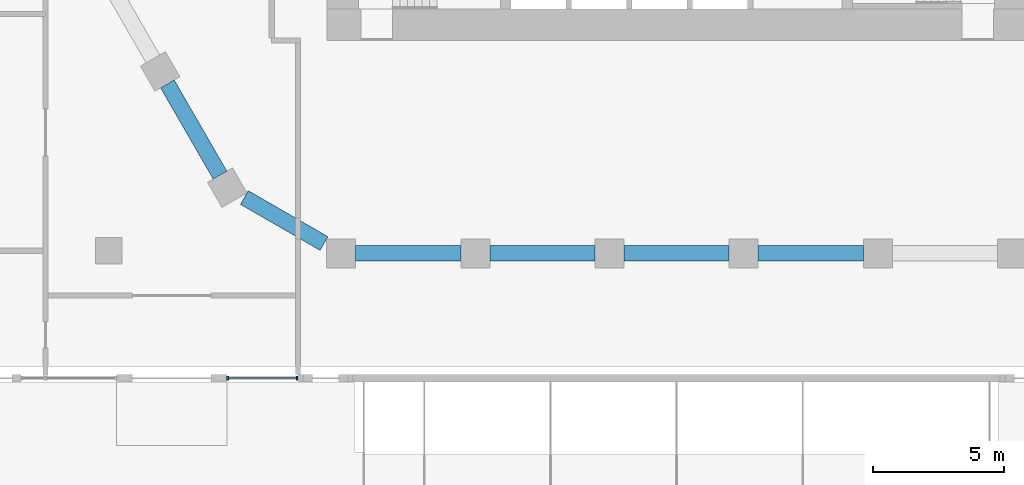
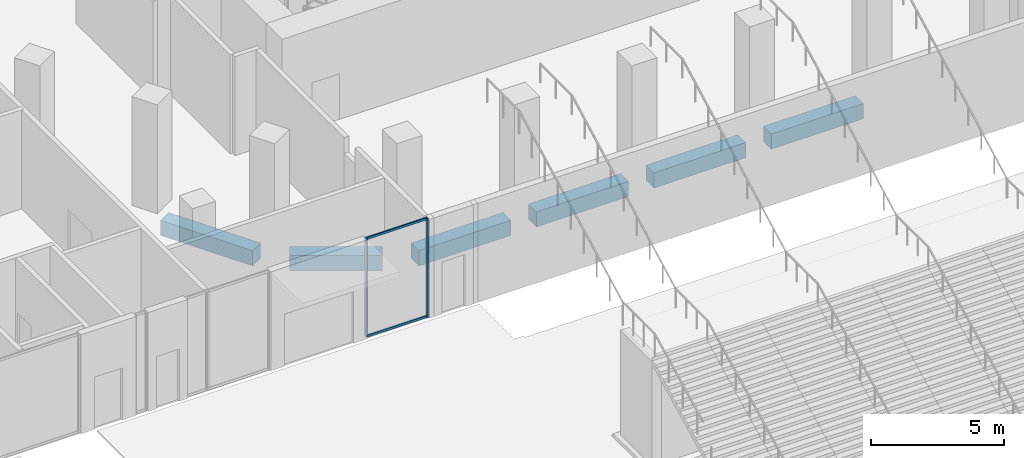
# One storey, part 3 of 57: 6 beams, 4 members, 1 element without a shape of its own.
"""IFC4 building model written with IfcOpenShell, lengths in metres."""

from ifc_helpers import new_model, si_unit, direction, frame, origin, origin_2d, place, context, subcontext, project, spatial, rectangle, hollow_rectangle, extrude, material, material_profile, profile_set, type_object, element, aggregate, save


model = new_model("IFC4")

# Units and contexts
model_context = context("Model", 3, precision=1e-05, world=origin(), true_north=direction((0.0, 1.0)))
body_context = subcontext(model_context, "Body", "Model", "MODEL_VIEW")
ifc_project = project(units=[si_unit("LENGTHUNIT", "METRE"), si_unit("AREAUNIT", "SQUARE_METRE"), si_unit("VOLUMEUNIT", "CUBIC_METRE"), si_unit("PLANEANGLEUNIT", "RADIAN"), si_unit("MASSUNIT", "GRAM", prefix="KILO")], contexts=[model_context])

# Site, building, storey
site_placement = place(None, origin())
site = spatial("IfcSite", under=ifc_project, at=site_placement, CompositionType="ELEMENT")
building_placement = place(site_placement, origin())
building = spatial("IfcBuilding", under=site, at=building_placement, Name="Beryl Residences", CompositionType="ELEMENT")
storey_placement = place(building_placement, origin())
storey = spatial("IfcBuildingStorey", under=building, at=storey_placement, Name="L00", CompositionType="ELEMENT", Elevation=0.0)

# Curtain wall, members
ifc_material_1 = material(Name="Aluminium and clear glass", Category="aluminium")
curtain_wall_type = type_object("IfcCurtainWallType", Name="CW5 lobby and retail return glazing glazed wall", PredefinedType="NOTDEFINED", material=ifc_material_1)
curtain_wall_placement = place(storey_placement, origin())
curtain_wall = element("IfcCurtainWall", 1, at=curtain_wall_placement, inside=storey, type_object=curtain_wall_type, Name="CW5 L00 S", PredefinedType="NOTDEFINED")
ifc_material_2 = material(Name="Aluminium", Category="aluminium")
ifc_material_profile_1 = material_profile(ifc_material_2, rectangle(XDim=0.06005859375, YDim=0.139892578125, at=origin_2d()))
ifc_profile_set_1 = profile_set([ifc_material_profile_1], Name="Aluminium")
member_type_1 = type_object("IfcMemberType", Name="CW5-M mullion 60 x 140 mm", PredefinedType="MULLION", material=ifc_profile_set_1)
member_1_placement = place(storey_placement, frame((-17.070068359375, -31.85009765625, 0.0), z_axis=(0.0, 0.0, 1.0), x_axis=(1.0, 0.0, 0.0)))
member_1 = element("IfcMember", 2, at=member_1_placement, type_object=member_type_1, Name="CW5 mullion 1", PredefinedType="MULLION", context=body_context, shape_type="SweptSolid", body=[
    extrude(rectangle(XDim=0.06005859375, YDim=0.139892578125, at=origin_2d()), origin(), (0.0, 0.0, 1.0), 4.550048828125),
])
member_2_placement = place(storey_placement, frame((-14.429931640625, -31.85009765625, 0.0), z_axis=(0.0, 0.0, 1.0), x_axis=(1.0, 0.0, 0.0)))
member_2 = element("IfcMember", 3, at=member_2_placement, type_object=member_type_1, Name="CW5 mullion 2", PredefinedType="MULLION", context=body_context, shape_type="SweptSolid", body=[
    extrude(rectangle(XDim=0.06005859375, YDim=0.139892578125, at=origin_2d()), origin(), (0.0, 0.0, 1.0), 4.550048828125),
])
ifc_material_3 = material(Name="Aluminium", Category="aluminium")
ifc_material_profile_2 = material_profile(ifc_material_3, hollow_rectangle(XDim=0.06005859375, YDim=0.10009765625, WallThickness=0.00390625, at=origin_2d()))
ifc_profile_set_2 = profile_set([ifc_material_profile_2], Name="Aluminium")
member_type_2 = type_object("IfcMemberType", Name="CW5-T transom 60 x 100 mm", PredefinedType="USERDEFINED", material=ifc_profile_set_2)
member_3_placement = place(storey_placement, frame((-17.0400390625, -31.85009765625, 0.030029296875), z_axis=(1.0, 0.0, 0.0), x_axis=(0.0, 1.0, 0.0)))
member_3 = element("IfcMember", 4, at=member_3_placement, type_object=member_type_2, Name="CW5 transom 1.1", ObjectType="TRANSOM", PredefinedType="USERDEFINED", context=body_context, shape_type="SweptSolid", body=[
    extrude(hollow_rectangle(XDim=0.06005859375, YDim=0.10009765625, WallThickness=0.00390625, at=origin_2d()), origin(), (0.0, 0.0, 1.0), 2.580078125),
])
member_4_placement = place(storey_placement, frame((-17.0400390625, -31.85009765625, 4.52001953125), z_axis=(1.0, 0.0, 0.0), x_axis=(0.0, 1.0, 0.0)))
member_4 = element("IfcMember", 5, at=member_4_placement, type_object=member_type_2, Name="CW5 transom 1.2", ObjectType="TRANSOM", PredefinedType="USERDEFINED", context=body_context, shape_type="SweptSolid", body=[
    extrude(hollow_rectangle(XDim=0.06005859375, YDim=0.10009765625, WallThickness=0.00390625, at=origin_2d()), origin(), (0.0, 0.0, 1.0), 2.580078125),
])
aggregate(curtain_wall, [member_1, member_2, member_3, member_4])

# Beams
ifc_material_4 = material(Name="Concrete C80/95", Category="concrete")
ifc_material_profile_3 = material_profile(ifc_material_4, rectangle(XDim=0.60009765625, YDim=0.699951171875, at=origin_2d()))
ifc_profile_set_3 = profile_set([ifc_material_profile_3], Name="Concrete C80/95")
beam_type = type_object("IfcBeamType", Name="SB1 spandrel beam 600 x 700 C80/95", PredefinedType="SPANDREL", material=ifc_profile_set_3)
beam_1_placement = place(storey_placement, frame((-19.365966796875, -20.656982421875, -0.800048828125), z_axis=(0.499942357345, -0.866058681229, 0.0), x_axis=(0.866058681229, 0.499942357345, 0.0)))
element("IfcBeam", 6, at=beam_1_placement, inside=storey, type_object=beam_type, Name="SB1 L00 SW-4", PredefinedType="SPANDREL", context=body_context, shape_type="SweptSolid", body=[
    extrude(rectangle(XDim=0.60009765625, YDim=0.699951171875, at=origin_2d()), origin(), (0.0, 0.0, 1.0), 4.00439453125),
])
beam_2_placement = place(storey_placement, frame((-16.43896484375, -24.97607421875, -0.800048828125), z_axis=(0.866070549782, -0.499921796684, 0.0), x_axis=(0.499921796684, 0.866070549782, 0.0)))
element("IfcBeam", 7, at=beam_2_placement, inside=storey, type_object=beam_type, Name="SB1 L00 SW-5", PredefinedType="SPANDREL", context=body_context, shape_type="SweptSolid", body=[
    extrude(rectangle(XDim=0.60009765625, YDim=0.699951171875, at=origin_2d()), origin(), (0.0, 0.0, 1.0), 3.49853515625),
])
for number, where, z_axis, x_axis, name in (
    (8, (-12.208984375, -27.10009765625, -0.800048828125), (1.0, 0.0, 0.0), (0.0, 1.0, 0.0), "SB1 L00 S-0"),
    (9, (-7.10498046875, -27.10009765625, -0.800048828125), (1.0, 0.0, 0.0), (0.0, 1.0, 0.0), "SB1 L00 S-1"),
    (10, (-2.0009765625, -27.10009765625, -0.800048828125), (1.0, 0.0, 0.0), (0.0, 1.0, 0.0), "SB1 L00 S-2"),
    (11, (3.10302734375, -27.10009765625, -0.800048828125), (1.0, 0.0, 0.0), (0.0, 1.0, 0.0), "SB1 L00 S-3"),
):
    element("IfcBeam", number, at=place(storey_placement, frame(where, z_axis=z_axis, x_axis=x_axis)), inside=storey, type_object=beam_type, Name=name, PredefinedType="SPANDREL", context=body_context, shape_type="SweptSolid", body=[
        extrude(rectangle(XDim=0.60009765625, YDim=0.699951171875, at=origin_2d()), origin(), (0.0, 0.0, 1.0), 4.00390625),
    ])

save(model, "model.ifc")
